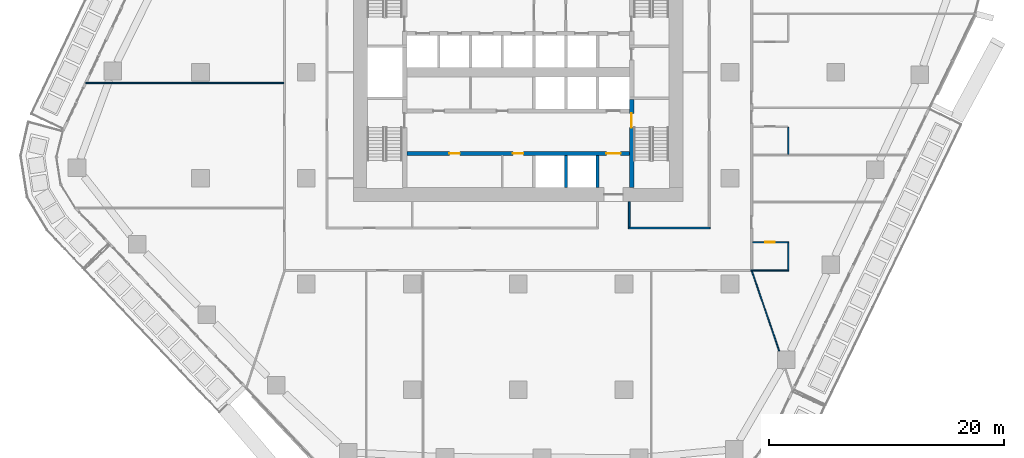
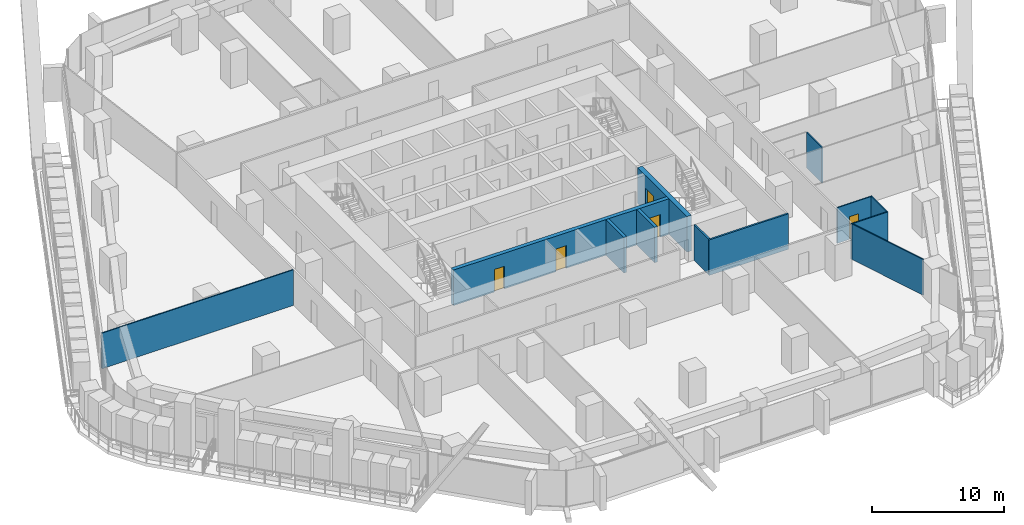
# One storey, part 13 of 24: 12 walls, 5 doors, 5 openings.
"""IFC4 building model written with IfcOpenShell, lengths in metres."""

from ifc_helpers import new_model, si_unit, direction, frame, frame_2d, origin, place, context, subcontext, project, spatial, rectangle, extrude, material, layer, layer_set, type_object, element, fill, save


model = new_model("IFC4")

# Units and contexts
model_context = context("Model", 3, precision=1e-05, world=origin(), true_north=direction((0.0, 1.0)))
body_context = subcontext(model_context, "Body", "Model", "MODEL_VIEW")
ifc_project = project(units=[si_unit("LENGTHUNIT", "METRE"), si_unit("AREAUNIT", "SQUARE_METRE"), si_unit("VOLUMEUNIT", "CUBIC_METRE"), si_unit("PLANEANGLEUNIT", "RADIAN"), si_unit("MASSUNIT", "GRAM", prefix="KILO")], contexts=[model_context])

# Site, building, storey
site_placement = place(None, origin())
site = spatial("IfcSite", under=ifc_project, at=site_placement, CompositionType="ELEMENT")
building_placement = place(site_placement, origin())
building = spatial("IfcBuilding", under=site, at=building_placement, Name="Dongbaek Canopy Tower", CompositionType="ELEMENT")
storey_placement = place(building_placement, frame((0.0, 0.0, 51.39990234375)))
storey = spatial("IfcBuildingStorey", under=building, at=storey_placement, Name="L08", CompositionType="ELEMENT", Elevation=51.39990234375)

# Wall, openings, doors
ifc_material_1 = material(Name="Concrete C60/75", Category="concrete")
ifc_layer_1 = layer(ifc_material_1, 0.35009765625)
ifc_layer_set_1 = layer_set([ifc_layer_1], Name="Core lobby wall 350 Concrete C60/75")
wall_type_1 = type_object("IfcWallType", Name="Core lobby wall 350 Concrete C60/75", PredefinedType="SHEAR", material=ifc_layer_set_1)
wall_1_placement = place(storey_placement, frame((9.449951171875, -6.89990234375, 0.0), z_axis=(0.0, 0.0, 1.0), x_axis=(-1.0, 0.0, 0.0)))
wall_1 = element("IfcWall", 1, at=wall_1_placement, inside=storey, type_object=wall_type_1, Name="Core wall", PredefinedType="SHEAR", context=body_context, shape_type="SweptSolid", body=[
    extrude(rectangle(XDim=18.89990234375, YDim=0.35009765625, at=frame_2d((9.449951171875, 0.0))), origin(), (0.0, 0.0, 1.0), 3.300048828125),
])
opening_1_placement = place(wall_1_placement, frame((0.75, 0.0, 0.0)))
opening_1 = element("IfcOpeningElement", 2, at=opening_1_placement, cuts=wall_1, Name="Opening L08-D045", PredefinedType="OPENING", context=body_context, shape_type="SweptSolid", body=[
    extrude(rectangle(XDim=1.199951171875, YDim=2.10009765625, at=frame_2d((0.60009765625, 1.050048828125))), frame((0.0, 0.18505859375, 0.0), z_axis=(0.0, -1.0, 0.0), x_axis=(1.0, 0.0, 0.0)), (0.0, 0.0, 1.0), 0.3701171875),
])
opening_2_placement = place(wall_1_placement, frame((14.39990234375, 0.0, 0.0)))
opening_2 = element("IfcOpeningElement", 3, at=opening_2_placement, cuts=wall_1, Name="Opening L08-D048", PredefinedType="OPENING", context=body_context, shape_type="SweptSolid", body=[
    extrude(rectangle(XDim=0.89990234375, YDim=2.10009765625, at=frame_2d((0.449951171875, 1.050048828125))), frame((0.0, 0.18505859375, 0.0), z_axis=(0.0, -1.0, 0.0), x_axis=(1.0, 0.0, 0.0)), (0.0, 0.0, 1.0), 0.3701171875),
])
opening_3_placement = place(wall_1_placement, frame((9.0, 0.0, 0.0)))
opening_3 = element("IfcOpeningElement", 4, at=opening_3_placement, cuts=wall_1, Name="Opening L08-D049", PredefinedType="OPENING", context=body_context, shape_type="SweptSolid", body=[
    extrude(rectangle(XDim=0.89990234375, YDim=2.10009765625, at=frame_2d((0.449951171875, 1.050048828125))), frame((0.0, 0.18505859375, 0.0), z_axis=(0.0, -1.0, 0.0), x_axis=(1.0, 0.0, 0.0)), (0.0, 0.0, 1.0), 0.3701171875),
])
ifc_material_2 = material(Name="Steel", Category="steel")
door_type_1 = type_object("IfcDoorType", Name="Core room door 900 x 2100", OperationType="SINGLE_SWING_LEFT", PredefinedType="DOOR", material=ifc_material_2)
door_1_placement = place(opening_2_placement, origin())
door_1 = element("IfcDoor", 5, at=door_1_placement, inside=storey, type_object=door_type_1, Name="Door L08-D048", OperationType="SINGLE_SWING_RIGHT", OverallHeight=2.10009765625, OverallWidth=0.89990234375, PredefinedType="DOOR", context=body_context, shape_type="SweptSolid", body=[
    extrude(rectangle(XDim=0.89990234375, YDim=2.10009765625, at=frame_2d((0.449951171875, 1.050048828125))), frame((0.0, 0.02490234375, 0.0), z_axis=(0.0, -1.0, 0.0), x_axis=(1.0, 0.0, 0.0)), (0.0, 0.0, 1.0), 0.050048828125),
])
fill(opening_2, door_1)
door_2_placement = place(opening_3_placement, origin())
door_2 = element("IfcDoor", 6, at=door_2_placement, inside=storey, type_object=door_type_1, Name="Door L08-D049", OperationType="SINGLE_SWING_LEFT", OverallHeight=2.10009765625, OverallWidth=0.89990234375, PredefinedType="DOOR", context=body_context, shape_type="SweptSolid", body=[
    extrude(rectangle(XDim=0.89990234375, YDim=2.10009765625, at=frame_2d((0.449951171875, 1.050048828125))), frame((0.0, 0.02490234375, 0.0), z_axis=(0.0, -1.0, 0.0), x_axis=(1.0, 0.0, 0.0)), (0.0, 0.0, 1.0), 0.050048828125),
])
fill(opening_3, door_2)
ifc_material_3 = material(Name="Steel", Category="steel")
door_type_2 = type_object("IfcDoorType", Name="Fire lobby door 1200 x 2100", OperationType="SINGLE_SWING_LEFT", PredefinedType="DOOR", material=ifc_material_3)
door_3_placement = place(opening_1_placement, origin())
door_3 = element("IfcDoor", 7, at=door_3_placement, inside=storey, type_object=door_type_2, Name="Door L08-D045", OperationType="SINGLE_SWING_LEFT", OverallHeight=2.10009765625, OverallWidth=1.199951171875, PredefinedType="DOOR", context=body_context, shape_type="SweptSolid", body=[
    extrude(rectangle(XDim=1.199951171875, YDim=2.10009765625, at=frame_2d((0.60009765625, 1.050048828125))), frame((0.0, 0.02490234375, 0.0), z_axis=(0.0, -1.0, 0.0), x_axis=(1.0, 0.0, 0.0)), (0.0, 0.0, 1.0), 0.050048828125),
])
fill(opening_1, door_3)

# Walls
ifc_material_4 = material(Name="Gypsum board partition, steel stud, 2 x 15 mm fire board", Category="steel")
ifc_layer_2 = layer(ifc_material_4, 0.14990234375)
ifc_layer_set_2 = layer_set([ifc_layer_2], Name="Fire-rated partition 150 gypsum board")
wall_type_2 = type_object("IfcWallType", Name="Fire-rated partition 150 gypsum board", PredefinedType="PARTITIONING", material=ifc_layer_set_2)
wall_2_placement = place(storey_placement, frame((9.375, -13.25, 0.0), z_axis=(0.0, 0.0, 1.0), x_axis=(1.0, 0.0, 0.0)))
element("IfcWall", 8, at=wall_2_placement, inside=storey, type_object=wall_type_2, Name="Corridor partition", PredefinedType="PARTITIONING", context=body_context, shape_type="SweptSolid", body=[
    extrude(rectangle(XDim=6.949951171875, YDim=0.14990234375, at=frame_2d((3.47509765625, 0.0))), origin(), (0.0, 0.0, 1.0), 3.300048828125),
])
wall_3_placement = place(storey_placement, frame((9.449951171875, -13.175048828125, 0.0), z_axis=(0.0, 0.0, 1.0), x_axis=(0.0, 1.0, 0.0)))
element("IfcWall", 9, at=wall_3_placement, inside=storey, type_object=wall_type_2, Name="Corridor partition", PredefinedType="PARTITIONING", context=body_context, shape_type="SweptSolid", body=[
    extrude(rectangle(XDim=2.175048828125, YDim=0.14990234375, at=frame_2d((1.08740234375, 0.0))), origin(), (0.0, 0.0, 1.0), 3.300048828125),
])
ifc_material_5 = material(Name="Concrete C40/50", Category="concrete")
ifc_layer_3 = layer(ifc_material_5, 0.25)
ifc_layer_set_3 = layer_set([ifc_layer_3], Name="Lift shaft wall 250 Concrete C40/50")
wall_type_3 = type_object("IfcWallType", Name="Lift shaft wall 250 Concrete C40/50", PredefinedType="SOLIDWALL", material=ifc_layer_set_3)
for number, where, z_axis, x_axis, name in (
    (10, (6.75, -9.800048828125, 0.0), (0.0, 0.0, 1.0), (0.0, 1.0, 0.0), "Lift shaft wall"),
    (11, (4.050048828125, -9.800048828125, 0.0), (0.0, 0.0, 1.0), (0.0, 1.0, 0.0), "Lift shaft wall"),
):
    element("IfcWall", number, at=place(storey_placement, frame(where, z_axis=z_axis, x_axis=x_axis)), inside=storey, type_object=wall_type_3, Name=name, PredefinedType="SOLIDWALL", context=body_context, shape_type="SweptSolid", body=[
        extrude(rectangle(XDim=2.72509765625, YDim=0.25, at=frame_2d((1.362548828125, 0.0))), origin(), (0.0, 0.0, 1.0), 3.300048828125),
    ])
ifc_material_6 = material(Name="Gypsum board partition, steel stud, 2 x 12.5 mm board", Category="steel")
ifc_layer_4 = layer(ifc_material_6, 0.10009765625)
ifc_layer_set_4 = layer_set([ifc_layer_4], Name="Partition 100 gypsum board")
wall_type_4 = type_object("IfcWallType", Name="Partition 100 gypsum board", PredefinedType="PARTITIONING", material=ifc_layer_set_4)
wall_4_placement = place(storey_placement, frame((19.77490234375, -16.85009765625, 0.0), z_axis=(0.0, 0.0, 1.0), x_axis=(1.0, 0.0, 0.0)))
element("IfcWall", 12, at=wall_4_placement, inside=storey, type_object=wall_type_4, Name="Partition", PredefinedType="PARTITIONING", context=body_context, shape_type="SweptSolid", body=[
    extrude(rectangle(XDim=3.22509765625, YDim=0.10009765625, at=frame_2d((1.612548828125, 0.0))), origin(), (0.0, 0.0, 1.0), 3.300048828125),
])

# Wall, opening, door
wall_5_placement = place(storey_placement, frame((23.0, -14.449951171875, 0.0), z_axis=(0.0, 0.0, 1.0), x_axis=(-1.0, 0.0, 0.0)))
wall_5 = element("IfcWall", 13, at=wall_5_placement, inside=storey, type_object=wall_type_4, Name="Partition", PredefinedType="PARTITIONING", context=body_context, shape_type="SweptSolid", body=[
    extrude(rectangle(XDim=3.074951171875, YDim=0.10009765625, at=frame_2d((1.53759765625, 0.0))), origin(), (0.0, 0.0, 1.0), 3.300048828125),
])
opening_4_placement = place(wall_5_placement, frame((1.199951171875, 0.0, 0.0)))
opening_4 = element("IfcOpeningElement", 14, at=opening_4_placement, cuts=wall_5, Name="Opening L08-D006", PredefinedType="OPENING", context=body_context, shape_type="SweptSolid", body=[
    extrude(rectangle(XDim=0.800048828125, YDim=2.10009765625, at=frame_2d((0.39990234375, 1.050048828125))), frame((0.0, 0.06005859375, 0.0), z_axis=(0.0, -1.0, 0.0), x_axis=(1.0, 0.0, 0.0)), (0.0, 0.0, 1.0), 0.1201171875),
])
ifc_material_7 = material(Name="Timber veneered door leaf", Category="wood")
door_type_3 = type_object("IfcDoorType", Name="En-suite door 800 x 2100", OperationType="SINGLE_SWING_LEFT", PredefinedType="DOOR", material=ifc_material_7)
door_4_placement = place(opening_4_placement, origin())
door_4 = element("IfcDoor", 15, at=door_4_placement, inside=storey, type_object=door_type_3, Name="Door L08-D006", OperationType="SINGLE_SWING_LEFT", OverallHeight=2.10009765625, OverallWidth=0.800048828125, PredefinedType="DOOR", context=body_context, shape_type="SweptSolid", body=[
    extrude(rectangle(XDim=0.800048828125, YDim=2.10009765625, at=frame_2d((0.39990234375, 1.050048828125))), frame((0.0, 0.02490234375, 0.0), z_axis=(0.0, -1.0, 0.0), x_axis=(1.0, 0.0, 0.0)), (0.0, 0.0, 1.0), 0.050048828125),
])
fill(opening_4, door_4)

# Walls
wall_6_placement = place(storey_placement, frame((-36.73681640625, -0.9169921875, 0.0), z_axis=(0.0, 0.0, 1.0), x_axis=(1.0, 0.0, 0.0)))
element("IfcWall", 16, at=wall_6_placement, inside=storey, type_object=wall_type_4, Name="Partition", PredefinedType="PARTITIONING", context=body_context, shape_type="SweptSolid", body=[
    extrude(rectangle(XDim=16.811767578125, YDim=0.10009765625, at=frame_2d((8.40576171875, 0.0))), origin(), (0.0, 0.0, 1.0), 3.300048828125),
])
for number, where, z_axis, x_axis, name in (
    (17, (22.949951171875, -16.800048828125, 0.0), (0.0, 0.0, 1.0), (0.0, 1.0, 0.0), "Partition"),
    (18, (22.949951171875, -6.977783203125, 0.0), (0.0, 0.0, 1.0), (0.0, 1.0, 0.0), "Partition"),
):
    element("IfcWall", number, at=place(storey_placement, frame(where, z_axis=z_axis, x_axis=x_axis)), inside=storey, type_object=wall_type_4, Name=name, PredefinedType="PARTITIONING", context=body_context, shape_type="SweptSolid", body=[
        extrude(rectangle(XDim=2.300048828125, YDim=0.10009765625, at=frame_2d((1.14990234375, 0.0))), origin(), (0.0, 0.0, 1.0), 3.300048828125),
    ])
wall_7_placement = place(storey_placement, frame((19.849609375, -16.85009765625, 0.0), z_axis=(0.0, 0.0, 1.0), x_axis=(0.323389409091, -0.94626597217, 0.0)))
element("IfcWall", 19, at=wall_7_placement, inside=storey, type_object=wall_type_4, Name="Partition", PredefinedType="PARTITIONING", context=body_context, shape_type="SweptSolid", body=[
    extrude(rectangle(XDim=7.231689453125, YDim=0.10009765625, at=frame_2d((3.61572265625, 0.0))), origin(), (0.0, 0.0, 1.0), 3.300048828125),
])

# Wall, opening, door
ifc_material_8 = material(Name="Concrete C60/75", Category="concrete")
ifc_layer_5 = layer(ifc_material_8, 0.39990234375)
ifc_layer_set_5 = layer_set([ifc_layer_5], Name="Stair wall 400 Concrete C60/75")
wall_type_5 = type_object("IfcWallType", Name="Stair wall 400 Concrete C60/75", PredefinedType="SHEAR", material=ifc_layer_set_5)
wall_8_placement = place(storey_placement, frame((9.64990234375, -2.300048828125, 0.0), z_axis=(0.0, 0.0, 1.0), x_axis=(0.0, -1.0, 0.0)))
wall_8 = element("IfcWall", 20, at=wall_8_placement, inside=storey, type_object=wall_type_5, Name="Stair wall", PredefinedType="SHEAR", context=body_context, shape_type="SweptSolid", body=[
    extrude(rectangle(XDim=7.5, YDim=0.39990234375, at=frame_2d((3.75, 0.0))), origin(), (0.0, 0.0, 1.0), 3.300048828125),
])
opening_5_placement = place(wall_8_placement, frame((1.199951171875, 0.0, 0.0)))
opening_5 = element("IfcOpeningElement", 21, at=opening_5_placement, cuts=wall_8, Name="Opening L08-D052", PredefinedType="OPENING", context=body_context, shape_type="SweptSolid", body=[
    extrude(rectangle(XDim=1.199951171875, YDim=2.10009765625, at=frame_2d((0.60009765625, 1.050048828125))), frame((0.0, 0.2099609375, 0.0), z_axis=(0.0, -1.0, 0.0), x_axis=(1.0, 0.0, 0.0)), (0.0, 0.0, 1.0), 0.419921875),
])
ifc_material_9 = material(Name="Steel", Category="steel")
door_type_4 = type_object("IfcDoorType", Name="Stair door 1200 x 2100", OperationType="SINGLE_SWING_LEFT", PredefinedType="DOOR", material=ifc_material_9)
door_5_placement = place(opening_5_placement, origin())
door_5 = element("IfcDoor", 22, at=door_5_placement, inside=storey, type_object=door_type_4, Name="Stair B door", OperationType="SINGLE_SWING_RIGHT", OverallHeight=2.10009765625, OverallWidth=1.199951171875, PredefinedType="DOOR", context=body_context, shape_type="SweptSolid", body=[
    extrude(rectangle(XDim=1.199951171875, YDim=2.10009765625, at=frame_2d((0.60009765625, 1.050048828125))), frame((0.0, 0.02490234375, 0.0), z_axis=(0.0, -1.0, 0.0), x_axis=(1.0, 0.0, 0.0)), (0.0, 0.0, 1.0), 0.050048828125),
])
fill(opening_5, door_5)

save(model, "model.ifc")
